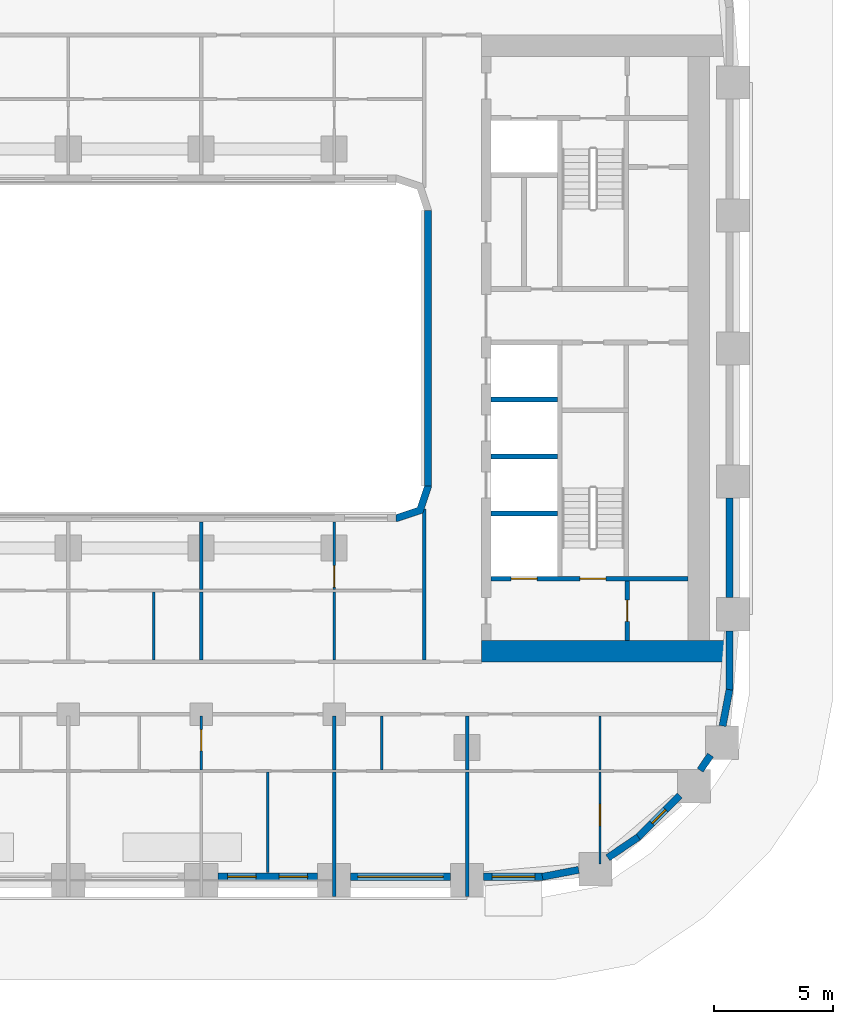
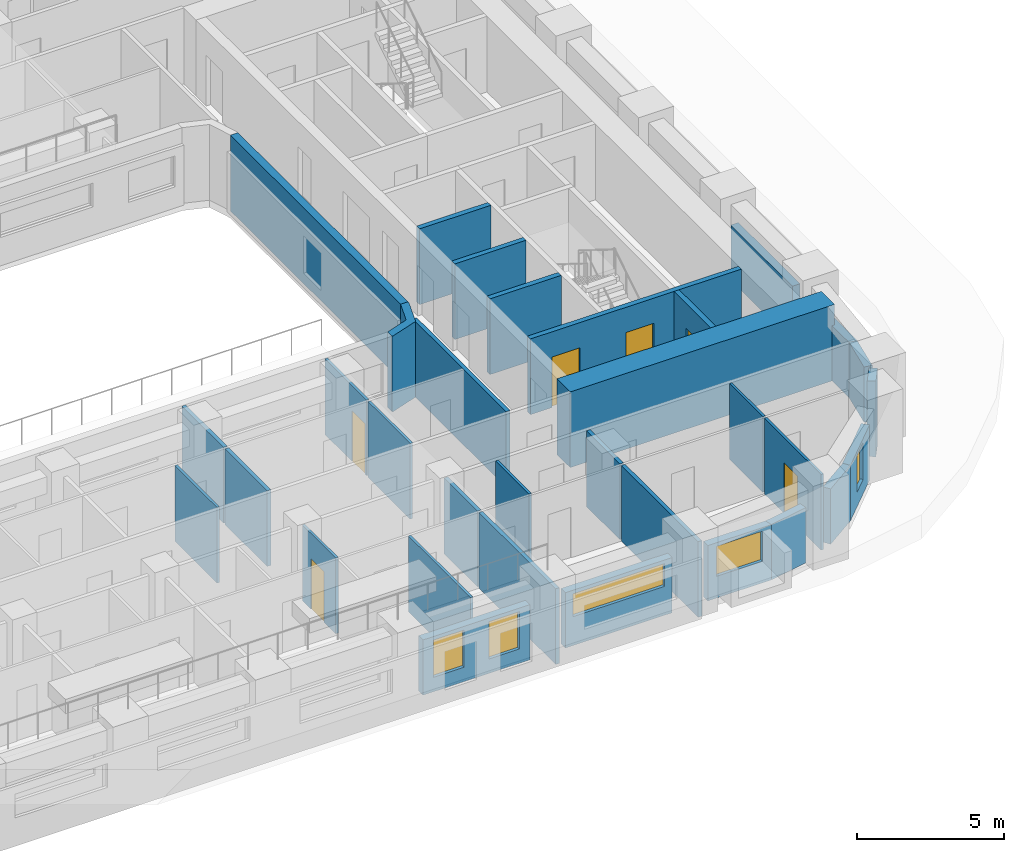
# One storey, part 6 of 18: 33 walls, 6 doors, 5 windows, 11 openings.
"""IFC4 building model written with IfcOpenShell, lengths in metres."""

from ifc_helpers import new_model, si_unit, direction, frame, frame_2d, origin, place, context, subcontext, project, spatial, polyline, rectangle, outline, extrude, material, layer, layer_set, type_object, element, fill, save


model = new_model("IFC4")

# Units and contexts
model_context = context("Model", 3, precision=1e-05, world=origin(), true_north=direction((0.0, 1.0)))
body_context = subcontext(model_context, "Body", "Model", "MODEL_VIEW")
ifc_project = project(units=[si_unit("LENGTHUNIT", "METRE"), si_unit("AREAUNIT", "SQUARE_METRE"), si_unit("VOLUMEUNIT", "CUBIC_METRE"), si_unit("PLANEANGLEUNIT", "RADIAN"), si_unit("MASSUNIT", "GRAM", prefix="KILO")], contexts=[model_context])

# Site, building, storey
site_placement = place(None, origin())
site = spatial("IfcSite", under=ifc_project, at=site_placement, CompositionType="ELEMENT")
building_placement = place(site_placement, origin())
building = spatial("IfcBuilding", under=site, at=building_placement, Name="Kiln Ring Residences", CompositionType="ELEMENT")
storey_placement = place(building_placement, frame((0.0, 0.0, 69.0)))
storey = spatial("IfcBuildingStorey", under=building, at=storey_placement, Name="L17", CompositionType="ELEMENT", Elevation=69.0)

# Wall, opening, door
ifc_material_1 = material(Name="Gypsum board on steel studs", Category="steel")
ifc_layer_1 = layer(ifc_material_1, 0.199951171875)
ifc_layer_set_1 = layer_set([ifc_layer_1], Name="CORE-PARTITION-200")
wall_type_1 = type_object("IfcWallType", Name="CORE-PARTITION-200", PredefinedType="PARTITIONING", material=ifc_layer_set_1)
wall_1_placement = place(storey_placement, frame((23.550048828125, -12.300048828125, 0.0), z_axis=(0.0, 0.0, 1.0), x_axis=(0.0, 1.0, 0.0)))
wall_1 = element("IfcWall", 1, at=wall_1_placement, inside=storey, type_object=wall_type_1, Name="Core partition east L17 5", PredefinedType="PARTITIONING", context=body_context, shape_type="SweptSolid", body=[
    extrude(rectangle(XDim=2.5, YDim=0.199951171875, at=frame_2d((1.25, 0.0))), origin(), (0.0, 0.0, 1.0), 3.14990234375),
])
opening_1_placement = place(wall_1_placement, frame((0.800048828125, 0.0, 0.0)))
opening_1 = element("IfcOpeningElement", 2, at=opening_1_placement, cuts=wall_1, Name="Opening L17-CE11", PredefinedType="OPENING", context=body_context, shape_type="SweptSolid", body=[
    extrude(rectangle(XDim=0.89990234375, YDim=2.10009765625, at=frame_2d((0.449951171875, 1.050048828125))), frame((0.0, 0.10986328125, 0.0), z_axis=(0.0, -1.0, 0.0), x_axis=(1.0, 0.0, 0.0)), (0.0, 0.0, 1.0), 0.219970703125),
])
ifc_material_2 = material(Name="Steel door leaf", Category="steel")
door_type_1 = type_object("IfcDoorType", Name="CORE-DOOR-ROOM", OperationType="SINGLE_SWING_LEFT", PredefinedType="DOOR", material=ifc_material_2)
door_1_placement = place(opening_1_placement, origin())
door_1 = element("IfcDoor", 3, at=door_1_placement, inside=storey, type_object=door_type_1, Name="Store L17-CE11", OperationType="SINGLE_SWING_RIGHT", OverallHeight=2.10009765625, OverallWidth=0.89990234375, PredefinedType="DOOR", context=body_context, shape_type="SweptSolid", body=[
    extrude(rectangle(XDim=0.89990234375, YDim=2.10009765625, at=frame_2d((0.449951171875, 1.050048828125))), frame((0.0, 0.02490234375, 0.0), z_axis=(0.0, -1.0, 0.0), x_axis=(1.0, 0.0, 0.0)), (0.0, 0.0, 1.0), 0.050048828125),
])
fill(opening_1, door_1)

# Walls
ifc_material_3 = material(Name="Gypsum shaft wall system")
ifc_layer_2 = layer(ifc_material_3, 0.199951171875)
ifc_layer_set_2 = layer_set([ifc_layer_2], Name="CORE-SHAFT-WALL-200")
wall_type_2 = type_object("IfcWallType", Name="CORE-SHAFT-WALL-200", PredefinedType="PARTITIONING", material=ifc_layer_set_2)
for number, where, z_axis, x_axis, name in (
    (4, (17.800048828125, -6.949951171875, 0.0), (0.0, 0.0, 1.0), (1.0, 0.0, 0.0), "Core partition east L17 7"),
    (5, (17.800048828125, -4.550048828125, 0.0), (0.0, 0.0, 1.0), (1.0, 0.0, 0.0), "Core partition east L17 8"),
    (6, (17.800048828125, -2.14990234375, 0.0), (0.0, 0.0, 1.0), (1.0, 0.0, 0.0), "Core partition east L17 9"),
):
    element("IfcWall", number, at=place(storey_placement, frame(where, z_axis=z_axis, x_axis=x_axis)), inside=storey, type_object=wall_type_2, Name=name, PredefinedType="PARTITIONING", context=body_context, shape_type="SweptSolid", body=[
        extrude(rectangle(XDim=2.800048828125, YDim=0.199951171875, at=frame_2d((1.39990234375, 0.0))), origin(), (0.0, 0.0, 1.0), 3.14990234375),
    ])

# Wall, openings, doors
ifc_material_4 = material(Name="Concrete C40/50", Category="concrete")
ifc_layer_3 = layer(ifc_material_4, 0.199951171875)
ifc_layer_set_3 = layer_set([ifc_layer_3], Name="CORE-WALL-RC200")
wall_type_3 = type_object("IfcWallType", Name="CORE-WALL-RC200", PredefinedType="SHEAR", material=ifc_layer_set_3)
wall_2_placement = place(storey_placement, frame((17.800048828125, -9.699951171875, 0.0), z_axis=(0.0, 0.0, 1.0), x_axis=(1.0, 0.0, 0.0)))
wall_2 = element("IfcWall", 7, at=wall_2_placement, inside=storey, type_object=wall_type_3, Name="Core wall east L17 8", PredefinedType="SHEAR", context=body_context, shape_type="SweptSolid", body=[
    extrude(rectangle(XDim=8.300048828125, YDim=0.199951171875, at=frame_2d((4.14990234375, 0.0))), origin(), (0.0, 0.0, 1.0), 3.14990234375),
])
opening_2_placement = place(wall_2_placement, frame((0.85009765625, 0.0, 0.0)))
opening_2 = element("IfcOpeningElement", 8, at=opening_2_placement, cuts=wall_2, Name="Opening L17-CE01", PredefinedType="OPENING", context=body_context, shape_type="SweptSolid", body=[
    extrude(rectangle(XDim=1.10009765625, YDim=2.10009765625, at=frame_2d((0.550048828125, 1.050048828125))), frame((0.0, 0.10986328125, 0.0), z_axis=(0.0, -1.0, 0.0), x_axis=(1.0, 0.0, 0.0)), (0.0, 0.0, 1.0), 0.219970703125),
])
opening_3_placement = place(wall_2_placement, frame((3.75, 0.0, 0.0)))
opening_3 = element("IfcOpeningElement", 9, at=opening_3_placement, cuts=wall_2, Name="Opening L17-CE13", PredefinedType="OPENING", context=body_context, shape_type="SweptSolid", body=[
    extrude(rectangle(XDim=1.10009765625, YDim=2.10009765625, at=frame_2d((0.550048828125, 1.050048828125))), frame((0.0, 0.10986328125, 0.0), z_axis=(0.0, -1.0, 0.0), x_axis=(1.0, 0.0, 0.0)), (0.0, 0.0, 1.0), 0.219970703125),
])
ifc_material_5 = material(Name="Steel door leaf", Category="steel")
door_type_2 = type_object("IfcDoorType", Name="CORE-DOOR-LD", OperationType="DOUBLE_DOOR_SLIDING", PredefinedType="DOOR", material=ifc_material_5)
door_2_placement = place(opening_2_placement, origin())
door_2 = element("IfcDoor", 10, at=door_2_placement, inside=storey, type_object=door_type_2, Name="LD E-SV L17-CE01", OperationType="DOUBLE_DOOR_SLIDING", OverallHeight=2.10009765625, OverallWidth=1.10009765625, PredefinedType="DOOR", context=body_context, shape_type="SweptSolid", body=[
    extrude(rectangle(XDim=1.10009765625, YDim=2.10009765625, at=frame_2d((0.550048828125, 1.050048828125))), frame((0.0, 0.02490234375, 0.0), z_axis=(0.0, -1.0, 0.0), x_axis=(1.0, 0.0, 0.0)), (0.0, 0.0, 1.0), 0.050048828125),
])
fill(opening_2, door_2)
ifc_material_6 = material(Name="Steel door leaf", Category="steel")
door_type_3 = type_object("IfcDoorType", Name="CORE-DOOR-STAIR", OperationType="SINGLE_SWING_LEFT", PredefinedType="DOOR", material=ifc_material_6)
door_3_placement = place(opening_3_placement, origin())
door_3 = element("IfcDoor", 11, at=door_3_placement, inside=storey, type_object=door_type_3, Name="Stair E-STS L17-CE13", OperationType="SINGLE_SWING_LEFT", OverallHeight=2.10009765625, OverallWidth=1.10009765625, PredefinedType="DOOR", context=body_context, shape_type="SweptSolid", body=[
    extrude(rectangle(XDim=1.10009765625, YDim=2.10009765625, at=frame_2d((0.550048828125, 1.050048828125))), frame((0.0, 0.02490234375, 0.0), z_axis=(0.0, -1.0, 0.0), x_axis=(1.0, 0.0, 0.0)), (0.0, 0.0, 1.0), 0.050048828125),
])
fill(opening_3, door_3)

# Wall
ifc_material_7 = material(Name="Concrete C60/75", Category="concrete")
ifc_layer_4 = layer(ifc_material_7, 0.89990234375)
ifc_layer_set_4 = layer_set([ifc_layer_4], Name="CORE-WALL-RC900")
wall_type_4 = type_object("IfcWallType", Name="CORE-WALL-RC900", PredefinedType="SHEAR", material=ifc_layer_set_4)
wall_3_placement = place(storey_placement, frame((17.39990234375, -12.75, 0.0), z_axis=(0.0, 0.0, 1.0), x_axis=(1.0, 0.0, 0.0)))
element("IfcWall", 12, at=wall_3_placement, inside=storey, type_object=wall_type_4, Name="Core wall east L17 5", PredefinedType="SHEAR", context=body_context, shape_type="SweptSolid", body=[
    extrude(rectangle(XDim=10.400146484375, YDim=0.89990234375, at=frame_2d((5.2001953125, 0.0))), origin(), (0.0, 0.0, 1.0), 3.14990234375),
])

# Wall, openings, windows
ifc_material_8 = material(Name="Brick masonry, dark clay brick", Category="masonry")
ifc_layer_5 = layer(ifc_material_8, 0.300048828125)
ifc_layer_set_5 = layer_set([ifc_layer_5], Name="EW-300 BRICK WALL")
wall_type_5 = type_object("IfcWallType", Name="EW-300 BRICK WALL", PredefinedType="SOLIDWALL", material=ifc_layer_set_5)
wall_4_placement = place(storey_placement, frame((6.300048828125, -22.25, 0.0), z_axis=(0.0, 0.0, 1.0), x_axis=(1.0, 0.0, 0.0)))
wall_4 = element("IfcWall", 13, at=wall_4_placement, inside=storey, type_object=wall_type_5, Name="Facade wall L17 9", PredefinedType="SOLIDWALL", context=body_context, shape_type="SweptSolid", body=[
    extrude(rectangle(XDim=4.199951171875, YDim=0.300048828125, at=frame_2d((2.10009765625, 0.0))), origin(), (0.0, 0.0, 1.0), 2.300048828125),
])
opening_4_placement = place(wall_4_placement, frame((0.41259765625, 0.0, 0.60009765625)))
opening_4 = element("IfcOpeningElement", 14, at=opening_4_placement, cuts=wall_4, Name="Opening W1", PredefinedType="OPENING", context=body_context, shape_type="SweptSolid", body=[
    extrude(rectangle(XDim=1.199951171875, YDim=1.550048828125, at=frame_2d((0.60009765625, 0.77490234375))), frame((0.0, 0.159912109375, 0.0), z_axis=(0.0, -1.0, 0.0), x_axis=(1.0, 0.0, 0.0)), (0.0, 0.0, 1.0), 0.320068359375),
])
opening_5_placement = place(wall_4_placement, frame((2.58740234375, 0.0, 0.60009765625)))
opening_5 = element("IfcOpeningElement", 15, at=opening_5_placement, cuts=wall_4, Name="Opening W1", PredefinedType="OPENING", context=body_context, shape_type="SweptSolid", body=[
    extrude(rectangle(XDim=1.199951171875, YDim=1.550048828125, at=frame_2d((0.60009765625, 0.77490234375))), frame((0.0, 0.159912109375, 0.0), z_axis=(0.0, -1.0, 0.0), x_axis=(1.0, 0.0, 0.0)), (0.0, 0.0, 1.0), 0.320068359375),
])
ifc_material_9 = material(Name="Aluminium frame with double glazing", Category="aluminium")
window_type_1 = type_object("IfcWindowType", Name="WINDOW 1200 x 1550", PartitioningType="SINGLE_PANEL", PredefinedType="WINDOW", material=ifc_material_9)
window_1_placement = place(opening_4_placement, origin())
window_1 = element("IfcWindow", 16, at=window_1_placement, inside=storey, type_object=window_type_1, Name="Window L17 7", OverallHeight=1.550048828125, OverallWidth=1.199951171875, PartitioningType="SINGLE_PANEL", PredefinedType="WINDOW", context=body_context, shape_type="SweptSolid", body=[
    extrude(rectangle(XDim=1.199951171875, YDim=1.550048828125, at=frame_2d((0.60009765625, 0.77490234375))), frame((0.0, 0.030029296875, 0.0), z_axis=(0.0, -1.0, 0.0), x_axis=(1.0, 0.0, 0.0)), (0.0, 0.0, 1.0), 0.06005859375),
])
fill(opening_4, window_1)
window_2_placement = place(opening_5_placement, origin())
window_2 = element("IfcWindow", 17, at=window_2_placement, inside=storey, type_object=window_type_1, Name="Window L17 8", OverallHeight=1.550048828125, OverallWidth=1.199951171875, PartitioningType="SINGLE_PANEL", PredefinedType="WINDOW", context=body_context, shape_type="SweptSolid", body=[
    extrude(rectangle(XDim=1.199951171875, YDim=1.550048828125, at=frame_2d((0.60009765625, 0.77490234375))), frame((0.0, 0.030029296875, 0.0), z_axis=(0.0, -1.0, 0.0), x_axis=(1.0, 0.0, 0.0)), (0.0, 0.0, 1.0), 0.06005859375),
])
fill(opening_5, window_2)

# Wall, opening, window
wall_5_placement = place(storey_placement, frame((11.89990234375, -22.25, 0.0), z_axis=(0.0, 0.0, 1.0), x_axis=(1.0, 0.0, 0.0)))
wall_5 = element("IfcWall", 18, at=wall_5_placement, inside=storey, type_object=wall_type_5, Name="Facade wall L17 10", PredefinedType="SOLIDWALL", context=body_context, shape_type="SweptSolid", body=[
    extrude(rectangle(XDim=4.2001953125, YDim=0.300048828125, at=frame_2d((2.10009765625, 0.0))), origin(), (0.0, 0.0, 1.0), 2.300048828125),
])
opening_6_placement = place(wall_5_placement, frame((0.300048828125, 0.0, 1.199951171875)))
opening_6 = element("IfcOpeningElement", 19, at=opening_6_placement, cuts=wall_5, Name="Opening W4", PredefinedType="OPENING", context=body_context, shape_type="SweptSolid", body=[
    extrude(rectangle(XDim=3.60009765625, YDim=0.949951171875, at=frame_2d((1.800048828125, 0.47509765625))), frame((0.0, 0.159912109375, 0.0), z_axis=(0.0, -1.0, 0.0), x_axis=(1.0, 0.0, 0.0)), (0.0, 0.0, 1.0), 0.320068359375),
])
ifc_material_10 = material(Name="Aluminium frame with double glazing", Category="aluminium")
window_type_2 = type_object("IfcWindowType", Name="WINDOW 3600 x 950", PartitioningType="SINGLE_PANEL", PredefinedType="WINDOW", material=ifc_material_10)
window_3_placement = place(opening_6_placement, origin())
window_3 = element("IfcWindow", 20, at=window_3_placement, inside=storey, type_object=window_type_2, Name="Window L17 9", OverallHeight=0.949951171875, OverallWidth=3.60009765625, PartitioningType="SINGLE_PANEL", PredefinedType="WINDOW", context=body_context, shape_type="SweptSolid", body=[
    extrude(rectangle(XDim=3.60009765625, YDim=0.949951171875, at=frame_2d((1.800048828125, 0.47509765625))), frame((0.0, 0.030029296875, 0.0), z_axis=(0.0, -1.0, 0.0), x_axis=(1.0, 0.0, 0.0)), (0.0, 0.0, 1.0), 0.06005859375),
])
fill(opening_6, window_3)

wall_6_placement = place(storey_placement, frame((17.5, -22.25, 0.0), z_axis=(0.0, 0.0, 1.0), x_axis=(1.0, 0.0, 0.0)))
wall_6 = element("IfcWall", 21, at=wall_6_placement, inside=storey, type_object=wall_type_5, Name="Facade wall L17 11", PredefinedType="SOLIDWALL", context=body_context, shape_type="SweptSolid", body=[
    extrude(rectangle(XDim=2.5, YDim=0.300048828125, at=frame_2d((1.25, 0.0))), origin(), (0.0, 0.0, 1.0), 2.300048828125),
])
opening_7_placement = place(wall_6_placement, frame((0.35009765625, 0.0, 0.89990234375)))
opening_7 = element("IfcOpeningElement", 22, at=opening_7_placement, cuts=wall_6, Name="Opening W2", PredefinedType="OPENING", context=body_context, shape_type="SweptSolid", body=[
    extrude(rectangle(XDim=1.800048828125, YDim=1.25, at=frame_2d((0.89990234375, 0.625))), frame((0.0, 0.159912109375, 0.0), z_axis=(0.0, -1.0, 0.0), x_axis=(1.0, 0.0, 0.0)), (0.0, 0.0, 1.0), 0.320068359375),
])
ifc_material_11 = material(Name="Aluminium frame with double glazing", Category="aluminium")
window_type_3 = type_object("IfcWindowType", Name="WINDOW 1800 x 1250", PartitioningType="SINGLE_PANEL", PredefinedType="WINDOW", material=ifc_material_11)
window_4_placement = place(opening_7_placement, origin())
window_4 = element("IfcWindow", 23, at=window_4_placement, inside=storey, type_object=window_type_3, Name="Window L17 10", OverallHeight=1.25, OverallWidth=1.800048828125, PartitioningType="SINGLE_PANEL", PredefinedType="WINDOW", context=body_context, shape_type="SweptSolid", body=[
    extrude(rectangle(XDim=1.800048828125, YDim=1.25, at=frame_2d((0.89990234375, 0.625))), frame((0.0, 0.030029296875, 0.0), z_axis=(0.0, -1.0, 0.0), x_axis=(1.0, 0.0, 0.0)), (0.0, 0.0, 1.0), 0.06005859375),
])
fill(opening_7, window_4)

# Walls
wall_7_placement = place(storey_placement, frame((19.971923828125, -22.252685546875, 0.0), z_axis=(0.0, 0.0, 1.0), x_axis=(0.982297345734, 0.187328386968, 0.0)))
element("IfcWall", 24, at=wall_7_placement, inside=storey, type_object=wall_type_5, Name="Facade wall L17 12", PredefinedType="SOLIDWALL", context=body_context, shape_type="SweptSolid", body=[
    extrude(rectangle(XDim=1.55615234375, YDim=0.300048828125, at=frame_2d((0.778076171875, 0.0))), origin(), (0.0, 0.0, 1.0), 2.300048828125),
])
wall_8_placement = place(storey_placement, frame((22.725830078125, -21.45361328125, 0.0), z_axis=(0.0, 0.0, 1.0), x_axis=(0.827019875346, 0.562172683241, 0.0)))
element("IfcWall", 25, at=wall_8_placement, inside=storey, type_object=wall_type_5, Name="Facade wall L17 13", PredefinedType="SOLIDWALL", context=body_context, shape_type="SweptSolid", body=[
    extrude(rectangle(XDim=1.555908203125, YDim=0.300048828125, at=frame_2d((0.77783203125, 0.0))), origin(), (0.0, 0.0, 1.0), 2.300048828125),
])

# Wall, opening, window
wall_9_placement = place(storey_placement, frame((23.990966796875, -20.596923828125, 0.0), z_axis=(0.0, 0.0, 1.0), x_axis=(0.707106781187, 0.707106781187, 0.0)))
wall_9 = element("IfcWall", 26, at=wall_9_placement, inside=storey, type_object=wall_type_5, Name="Facade wall L17 14", PredefinedType="SOLIDWALL", context=body_context, shape_type="SweptSolid", body=[
    extrude(rectangle(XDim=2.5, YDim=0.300048828125, at=frame_2d((1.25, 0.0))), origin(), (0.0, 0.0, 1.0), 2.300048828125),
])
opening_8_placement = place(wall_9_placement, frame((0.85009765625, 0.0, 0.60009765625)))
opening_8 = element("IfcOpeningElement", 27, at=opening_8_placement, cuts=wall_9, Name="Opening W5", PredefinedType="OPENING", context=body_context, shape_type="SweptSolid", body=[
    extrude(rectangle(XDim=0.800048828125, YDim=1.550048828125, at=frame_2d((0.39990234375, 0.77490234375))), frame((0.0, 0.159912109375, 0.0), z_axis=(0.0, -1.0, 0.0), x_axis=(1.0, 0.0, 0.0)), (0.0, 0.0, 1.0), 0.320068359375),
])
ifc_material_12 = material(Name="Aluminium frame with double glazing", Category="aluminium")
window_type_4 = type_object("IfcWindowType", Name="WINDOW 800 x 1550", PartitioningType="SINGLE_PANEL", PredefinedType="WINDOW", material=ifc_material_12)
window_5_placement = place(opening_8_placement, origin())
window_5 = element("IfcWindow", 28, at=window_5_placement, inside=storey, type_object=window_type_4, Name="Window L17 11", OverallHeight=1.550048828125, OverallWidth=0.800048828125, PartitioningType="SINGLE_PANEL", PredefinedType="WINDOW", context=body_context, shape_type="SweptSolid", body=[
    extrude(rectangle(XDim=0.800048828125, YDim=1.550048828125, at=frame_2d((0.39990234375, 0.77490234375))), frame((0.0, 0.030029296875, 0.0), z_axis=(0.0, -1.0, 0.0), x_axis=(1.0, 0.0, 0.0)), (0.0, 0.0, 1.0), 0.06005859375),
])
fill(opening_8, window_5)

# Walls
wall_10_placement = place(storey_placement, frame((26.61669921875, -17.7685546875, 0.0), z_axis=(0.0, 0.0, 1.0), x_axis=(0.562000651531, 0.827136788977, 0.0)))
element("IfcWall", 29, at=wall_10_placement, inside=storey, type_object=wall_type_5, Name="Facade wall L17 15", PredefinedType="SOLIDWALL", context=body_context, shape_type="SweptSolid", body=[
    extrude(rectangle(XDim=0.777099609375, YDim=0.300048828125, at=frame_2d((0.388671875, 0.0))), origin(), (0.0, 0.0, 1.0), 3.14990234375),
])
wall_11_placement = place(storey_placement, frame((27.56103515625, -15.900390625, 0.0), z_axis=(0.0, 0.0, 1.0), x_axis=(0.187328386968, 0.982297345734, 0.0)))
element("IfcWall", 30, at=wall_11_placement, inside=storey, type_object=wall_type_5, Name="Facade wall L17 16", PredefinedType="SOLIDWALL", context=body_context, shape_type="SweptSolid", body=[
    extrude(rectangle(XDim=1.55615234375, YDim=0.300048828125, at=frame_2d((0.778076171875, 0.0))), origin(), (0.0, 0.0, 1.0), 2.300048828125),
])
wall_12_placement = place(storey_placement, frame((27.85009765625, -14.39990234375, 0.0), z_axis=(0.0, 0.0, 1.0), x_axis=(0.0, 1.0, 0.0)))
element("IfcWall", 31, at=wall_12_placement, inside=storey, type_object=wall_type_5, Name="Facade wall L17 17", PredefinedType="SOLIDWALL", context=body_context, shape_type="SweptSolid", body=[
    extrude(rectangle(XDim=2.5, YDim=0.300048828125, at=frame_2d((1.25, 0.0))), origin(), (0.0, 0.0, 1.0), 2.300048828125),
])
wall_13_placement = place(storey_placement, frame((27.85009765625, -10.5, 0.0), z_axis=(0.0, 0.0, 1.0), x_axis=(0.0, 1.0, 0.0)))
element("IfcWall", 32, at=wall_13_placement, inside=storey, type_object=wall_type_5, Name="Facade wall L17 18", PredefinedType="SOLIDWALL", context=body_context, shape_type="SweptSolid", body=[
    extrude(rectangle(XDim=4.199951171875, YDim=0.300048828125, at=frame_2d((2.10009765625, 0.0))), origin(), (0.0, 0.0, 1.0), 2.300048828125),
])
wall_14_placement = place(storey_placement, frame((15.14990234375, 5.800048828125, 0.0), z_axis=(0.0, 0.0, 1.0), x_axis=(0.0, -1.0, 0.0)))
element("IfcWall", 33, at=wall_14_placement, inside=storey, type_object=wall_type_5, Name="Facade wall L17 51", PredefinedType="SOLIDWALL", context=body_context, shape_type="SweptSolid", body=[
    extrude(rectangle(XDim=11.60009765625, YDim=0.300048828125, at=frame_2d((5.800048828125, 0.0))), origin(), (0.0, 0.0, 1.0), 3.14990234375),
])
wall_15_placement = place(storey_placement, origin())
element("IfcWall", 34, at=wall_15_placement, inside=storey, type_object=wall_type_5, Name="Corner wall L17 3", PredefinedType="SOLIDWALL", context=body_context, shape_type="SweptSolid", body=[
    extrude(outline(polyline([(14.937255859375, -6.937255859375), (15.300048828125, -5.8486328125), (15.300048828125, -5.800048828125), (15.0, -5.800048828125), (14.699951171875, -6.699951171875), (13.800048828125, -7.0), (13.800048828125, -7.300048828125), (13.8486328125, -7.300048828125), (14.937255859375, -6.937255859375)])), origin(), (0.0, 0.0, 1.0), 3.14990234375),
])
ifc_material_13 = material(Name="Gypsum board on steel studs", Category="steel")
ifc_layer_6 = layer(ifc_material_13, 0.10009765625)
ifc_layer_set_6 = layer_set([ifc_layer_6], Name="PARTITION-100")
wall_type_6 = type_object("IfcWallType", Name="PARTITION-100", PredefinedType="PARTITIONING", material=ifc_layer_set_6)
wall_16_placement = place(storey_placement, frame((3.60009765625, -13.125, 0.0), z_axis=(0.0, 0.0, 1.0), x_axis=(0.0, 1.0, 0.0)))
element("IfcWall", 35, at=wall_16_placement, inside=storey, type_object=wall_type_6, Name="Partition 051", PredefinedType="PARTITIONING", context=body_context, shape_type="SweptSolid", body=[
    extrude(rectangle(XDim=2.875, YDim=0.10009765625, at=frame_2d((1.4375, 0.0))), origin(), (0.0, 0.0, 1.0), 3.14990234375),
])

# Wall, opening, door
wall_17_placement = place(storey_placement, frame((5.60009765625, -17.75, 0.0), z_axis=(0.0, 0.0, 1.0), x_axis=(0.0, 1.0, 0.0)))
wall_17 = element("IfcWall", 36, at=wall_17_placement, inside=storey, type_object=wall_type_6, Name="Partition 053", PredefinedType="PARTITIONING", context=body_context, shape_type="SweptSolid", body=[
    extrude(rectangle(XDim=2.27490234375, YDim=0.10009765625, at=frame_2d((1.137451171875, 0.0))), origin(), (0.0, 0.0, 1.0), 3.14990234375),
])
opening_9_placement = place(wall_17_placement, frame((0.799072265625, 0.0, 0.0)))
opening_9 = element("IfcOpeningElement", 37, at=opening_9_placement, cuts=wall_17, Name="Opening L17-D071", PredefinedType="OPENING", context=body_context, shape_type="SweptSolid", body=[
    extrude(rectangle(XDim=0.89990234375, YDim=2.10009765625, at=frame_2d((0.449951171875, 1.050048828125))), frame((0.0, 0.06005859375, 0.0), z_axis=(0.0, -1.0, 0.0), x_axis=(1.0, 0.0, 0.0)), (0.0, 0.0, 1.0), 0.1201171875),
])
ifc_material_14 = material(Name="Timber door leaf", Category="wood")
door_type_4 = type_object("IfcDoorType", Name="FLAT-DOOR-900-PL", OperationType="SINGLE_SWING_LEFT", PredefinedType="DOOR", material=ifc_material_14)
door_4_placement = place(opening_9_placement, origin())
door_4 = element("IfcDoor", 38, at=door_4_placement, inside=storey, type_object=door_type_4, Name="Door L17-D071", OperationType="SINGLE_SWING_LEFT", OverallHeight=2.10009765625, OverallWidth=0.89990234375, PredefinedType="DOOR", context=body_context, shape_type="SweptSolid", body=[
    extrude(rectangle(XDim=0.89990234375, YDim=2.10009765625, at=frame_2d((0.449951171875, 1.050048828125))), frame((0.0, 0.02490234375, 0.0), z_axis=(0.0, -1.0, 0.0), x_axis=(1.0, 0.0, 0.0)), (0.0, 0.0, 1.0), 0.050048828125),
])
fill(opening_9, door_4)

# Walls
wall_18_placement = place(storey_placement, frame((8.39990234375, -22.080078125, 0.0), z_axis=(0.0, 0.0, 1.0), x_axis=(0.0, 1.0, 0.0)))
element("IfcWall", 39, at=wall_18_placement, inside=storey, type_object=wall_type_6, Name="Partition 061", PredefinedType="PARTITIONING", context=body_context, shape_type="SweptSolid", body=[
    extrude(rectangle(XDim=4.22998046875, YDim=0.10009765625, at=frame_2d((2.114990234375, 0.0))), origin(), (0.0, 0.0, 1.0), 3.14990234375),
])
wall_19_placement = place(storey_placement, frame((11.199951171875, -13.125, 0.0), z_axis=(0.0, 0.0, 1.0), x_axis=(0.0, 1.0, 0.0)))
element("IfcWall", 40, at=wall_19_placement, inside=storey, type_object=wall_type_6, Name="Partition 062", PredefinedType="PARTITIONING", context=body_context, shape_type="SweptSolid", body=[
    extrude(rectangle(XDim=2.875, YDim=0.10009765625, at=frame_2d((1.4375, 0.0))), origin(), (0.0, 0.0, 1.0), 3.14990234375),
])

# Wall, opening, door
wall_20_placement = place(storey_placement, frame((11.199951171875, -10.14990234375, 0.0), z_axis=(0.0, 0.0, 1.0), x_axis=(0.0, 1.0, 0.0)))
wall_20 = element("IfcWall", 41, at=wall_20_placement, inside=storey, type_object=wall_type_6, Name="Partition 063", PredefinedType="PARTITIONING", context=body_context, shape_type="SweptSolid", body=[
    extrude(rectangle(XDim=2.829833984375, YDim=0.10009765625, at=frame_2d((1.4150390625, 0.0))), origin(), (0.0, 0.0, 1.0), 3.14990234375),
])
opening_10_placement = place(wall_20_placement, frame((0.10009765625, 0.0, 0.0)))
opening_10 = element("IfcOpeningElement", 42, at=opening_10_placement, cuts=wall_20, Name="Opening L17-D056", PredefinedType="OPENING", context=body_context, shape_type="SweptSolid", body=[
    extrude(rectangle(XDim=0.89990234375, YDim=2.10009765625, at=frame_2d((0.449951171875, 1.050048828125))), frame((0.0, 0.06005859375, 0.0), z_axis=(0.0, -1.0, 0.0), x_axis=(1.0, 0.0, 0.0)), (0.0, 0.0, 1.0), 0.1201171875),
])
door_5_placement = place(opening_10_placement, origin())
door_5 = element("IfcDoor", 43, at=door_5_placement, inside=storey, type_object=door_type_4, Name="Door L17-D056", OperationType="SINGLE_SWING_LEFT", OverallHeight=2.10009765625, OverallWidth=0.89990234375, PredefinedType="DOOR", context=body_context, shape_type="SweptSolid", body=[
    extrude(rectangle(XDim=0.89990234375, YDim=2.10009765625, at=frame_2d((0.449951171875, 1.050048828125))), frame((0.0, 0.02490234375, 0.0), z_axis=(0.0, -1.0, 0.0), x_axis=(1.0, 0.0, 0.0)), (0.0, 0.0, 1.0), 0.050048828125),
])
fill(opening_10, door_5)

# Wall
wall_21_placement = place(storey_placement, frame((13.199951171875, -17.75, 0.0), z_axis=(0.0, 0.0, 1.0), x_axis=(0.0, 1.0, 0.0)))
element("IfcWall", 44, at=wall_21_placement, inside=storey, type_object=wall_type_6, Name="Partition 070", PredefinedType="PARTITIONING", context=body_context, shape_type="SweptSolid", body=[
    extrude(rectangle(XDim=2.27490234375, YDim=0.10009765625, at=frame_2d((1.137451171875, 0.0))), origin(), (0.0, 0.0, 1.0), 3.14990234375),
])

# Wall, opening, door
wall_22_placement = place(storey_placement, frame((22.39990234375, -21.719970703125, 0.0), z_axis=(0.0, 0.0, 1.0), x_axis=(0.0, 1.0, 0.0)))
wall_22 = element("IfcWall", 45, at=wall_22_placement, inside=storey, type_object=wall_type_6, Name="Partition 078", PredefinedType="PARTITIONING", context=body_context, shape_type="SweptSolid", body=[
    extrude(rectangle(XDim=3.869873046875, YDim=0.10009765625, at=frame_2d((1.93505859375, 0.0))), origin(), (0.0, 0.0, 1.0), 3.14990234375),
])
opening_11_placement = place(wall_22_placement, frame((1.6220703125, 0.0, 0.0)))
opening_11 = element("IfcOpeningElement", 46, at=opening_11_placement, cuts=wall_22, Name="Opening L17-D082", PredefinedType="OPENING", context=body_context, shape_type="SweptSolid", body=[
    extrude(rectangle(XDim=0.89990234375, YDim=2.10009765625, at=frame_2d((0.449951171875, 1.050048828125))), frame((0.0, 0.06005859375, 0.0), z_axis=(0.0, -1.0, 0.0), x_axis=(1.0, 0.0, 0.0)), (0.0, 0.0, 1.0), 0.1201171875),
])
door_6_placement = place(opening_11_placement, origin())
door_6 = element("IfcDoor", 47, at=door_6_placement, inside=storey, type_object=door_type_4, Name="Door L17-D082", OperationType="SINGLE_SWING_RIGHT", OverallHeight=2.10009765625, OverallWidth=0.89990234375, PredefinedType="DOOR", context=body_context, shape_type="SweptSolid", body=[
    extrude(rectangle(XDim=0.89990234375, YDim=2.10009765625, at=frame_2d((0.449951171875, 1.050048828125))), frame((0.0, 0.02490234375, 0.0), z_axis=(0.0, -1.0, 0.0), x_axis=(1.0, 0.0, 0.0)), (0.0, 0.0, 1.0), 0.050048828125),
])
fill(opening_11, door_6)

# Walls
wall_23_placement = place(storey_placement, frame((22.39990234375, -17.75, 0.0), z_axis=(0.0, 0.0, 1.0), x_axis=(0.0, 1.0, 0.0)))
element("IfcWall", 48, at=wall_23_placement, inside=storey, type_object=wall_type_6, Name="Partition 079", PredefinedType="PARTITIONING", context=body_context, shape_type="SweptSolid", body=[
    extrude(rectangle(XDim=2.27490234375, YDim=0.10009765625, at=frame_2d((1.137451171875, 0.0))), origin(), (0.0, 0.0, 1.0), 3.14990234375),
])
ifc_material_15 = material(Name="Brick masonry partition", Category="masonry")
ifc_layer_7 = layer(ifc_material_15, 0.14990234375)
ifc_layer_set_7 = layer_set([ifc_layer_7], Name="PARTITION-150-ei60")
wall_type_7 = type_object("IfcWallType", Name="PARTITION-150-ei60", PredefinedType="PARTITIONING", material=ifc_layer_set_7)
wall_24_placement = place(storey_placement, frame((5.60009765625, -13.125, 0.0), z_axis=(0.0, 0.0, 1.0), x_axis=(0.0, 1.0, 0.0)))
element("IfcWall", 49, at=wall_24_placement, inside=storey, type_object=wall_type_7, Name="Partition 054", PredefinedType="PARTITIONING", context=body_context, shape_type="SweptSolid", body=[
    extrude(rectangle(XDim=2.875, YDim=0.14990234375, at=frame_2d((1.4375, 0.0))), origin(), (0.0, 0.0, 1.0), 3.14990234375),
])
wall_25_placement = place(storey_placement, frame((5.60009765625, -10.14990234375, 0.0), z_axis=(0.0, 0.0, 1.0), x_axis=(0.0, 1.0, 0.0)))
element("IfcWall", 50, at=wall_25_placement, inside=storey, type_object=wall_type_7, Name="Partition 055", PredefinedType="PARTITIONING", context=body_context, shape_type="SweptSolid", body=[
    extrude(rectangle(XDim=2.829833984375, YDim=0.14990234375, at=frame_2d((1.4150390625, 0.0))), origin(), (0.0, 0.0, 1.0), 3.14990234375),
])
wall_26_placement = place(storey_placement, frame((11.199951171875, -23.080078125, 0.0), z_axis=(0.0, 0.0, 1.0), x_axis=(0.0, 1.0, 0.0)))
element("IfcWall", 51, at=wall_26_placement, inside=storey, type_object=wall_type_7, Name="Partition 066", PredefinedType="PARTITIONING", context=body_context, shape_type="SweptSolid", body=[
    extrude(rectangle(XDim=5.22998046875, YDim=0.14990234375, at=frame_2d((2.614990234375, 0.0))), origin(), (0.0, 0.0, 1.0), 3.14990234375),
])
wall_27_placement = place(storey_placement, frame((11.199951171875, -17.75, 0.0), z_axis=(0.0, 0.0, 1.0), x_axis=(0.0, 1.0, 0.0)))
element("IfcWall", 52, at=wall_27_placement, inside=storey, type_object=wall_type_7, Name="Partition 067", PredefinedType="PARTITIONING", context=body_context, shape_type="SweptSolid", body=[
    extrude(rectangle(XDim=2.27490234375, YDim=0.14990234375, at=frame_2d((1.137451171875, 0.0))), origin(), (0.0, 0.0, 1.0), 3.14990234375),
])
wall_28_placement = place(storey_placement, frame((15.0, -13.125, 0.0), z_axis=(0.0, 0.0, 1.0), x_axis=(0.0, 1.0, 0.0)))
element("IfcWall", 53, at=wall_28_placement, inside=storey, type_object=wall_type_7, Name="Partition 072", PredefinedType="PARTITIONING", context=body_context, shape_type="SweptSolid", body=[
    extrude(rectangle(XDim=6.356201171875, YDim=0.14990234375, at=frame_2d((3.17822265625, 0.0))), origin(), (0.0, 0.0, 1.0), 3.14990234375),
])
wall_29_placement = place(storey_placement, frame((16.800048828125, -23.080078125, 0.0), z_axis=(0.0, 0.0, 1.0), x_axis=(0.0, 1.0, 0.0)))
element("IfcWall", 54, at=wall_29_placement, inside=storey, type_object=wall_type_7, Name="Partition 074", PredefinedType="PARTITIONING", context=body_context, shape_type="SweptSolid", body=[
    extrude(rectangle(XDim=5.22998046875, YDim=0.14990234375, at=frame_2d((2.614990234375, 0.0))), origin(), (0.0, 0.0, 1.0), 3.14990234375),
])
wall_30_placement = place(storey_placement, frame((16.800048828125, -17.75, 0.0), z_axis=(0.0, 0.0, 1.0), x_axis=(0.0, 1.0, 0.0)))
element("IfcWall", 55, at=wall_30_placement, inside=storey, type_object=wall_type_7, Name="Partition 075", PredefinedType="PARTITIONING", context=body_context, shape_type="SweptSolid", body=[
    extrude(rectangle(XDim=2.27490234375, YDim=0.14990234375, at=frame_2d((1.137451171875, 0.0))), origin(), (0.0, 0.0, 1.0), 3.14990234375),
])

save(model, "model.ifc")
